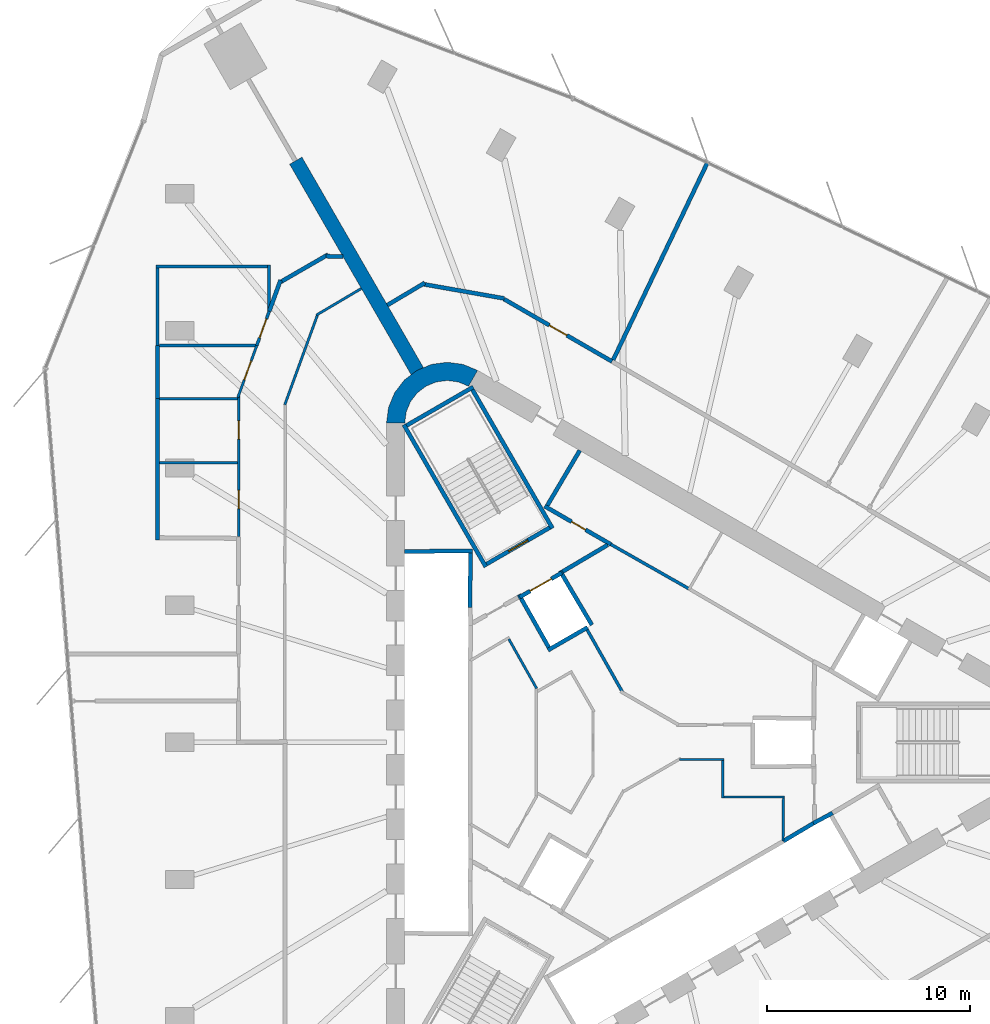
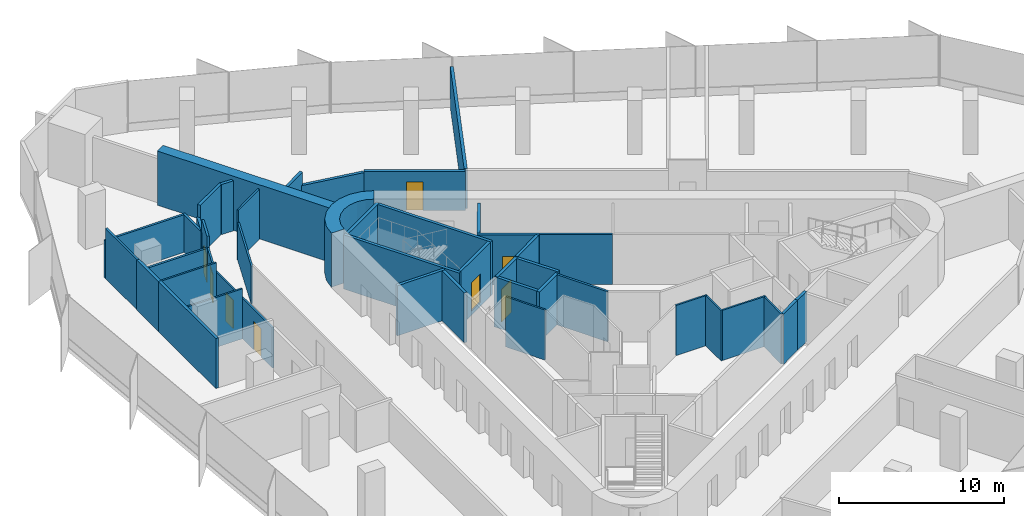
# One storey, part 10 of 13: 44 walls, 8 doors, 8 openings.
"""IFC4 building model written with IfcOpenShell, lengths in metres."""

import ifcopenshell
import ifcopenshell.guid

model = None  # the IFC model being written
_history = None  # IfcOwnerHistory: only IFC2X3 demands one
_inside = {}  # id of a spatial element -> (the spatial element, [elements in it])
_under = {}  # id of a project, library or spatial element -> (it, [spatial elements below it])
_declared = {}  # id of a project -> (the project, [libraries it declares])
_typed = {}  # id of a type object -> (the type object, [elements of that type])
_made_of = {}  # id of a material, layer set ... -> (it, [elements and type objects made of it])


def new_model(schema):
    """Start an empty IFC model of exactly this schema.

    Asked for "IFC4X3", IfcOpenShell would pick the latest addendum, in which some entities
    have other attributes; the version numbers below select the first issue.
    IFC2X3 requires an IfcOwnerHistory on every rooted entity: one is made here for all.
    """
    global model, _history
    if schema == "IFC4X3":
        model = ifcopenshell.file(schema_version=(4, 3, 0, 0))
    else:
        model = ifcopenshell.file(schema=schema)
    _inside.clear()
    _under.clear()
    _declared.clear()
    _typed.clear()
    _made_of.clear()
    _history = None
    if model.schema == "IFC2X3":
        org = make("IfcOrganization", Name="unknown")
        user = make(
            "IfcPersonAndOrganization",
            ThePerson=make("IfcPerson", FamilyName="unknown"),
            TheOrganization=org,
        )
        app = make(
            "IfcApplication",
            ApplicationDeveloper=org,
            Version="unknown",
            ApplicationFullName="unknown",
            ApplicationIdentifier="unknown",
        )
        _history = make(
            "IfcOwnerHistory",
            OwningUser=user,
            OwningApplication=app,
            ChangeAction="ADDED",
            CreationDate=0,
        )
    return model


def make(cls, **values):
    """One entity of the class cls with the attributes given. An attribute that is None is left unset."""
    return model.create_entity(
        cls, **{name: value for name, value in values.items() if value is not None}
    )


def rooted(cls, **values):
    """An entity with a GlobalId (a new one), such as an element, a storey or a relation."""
    return make(cls, GlobalId=ifcopenshell.guid.new(), OwnerHistory=_history, **values)


def si_unit(unit_type, name, prefix=None):
    """IfcSIUnit, for example si_unit("LENGTHUNIT", "METRE", prefix="MILLI")."""
    return make("IfcSIUnit", UnitType=unit_type, Prefix=prefix, Name=name)


def assignment(units):
    """IfcUnitAssignment: the units of a project."""
    return None if units is None else make("IfcUnitAssignment", Units=units)


def point(xyz):
    """IfcCartesianPoint."""
    return None if xyz is None else make("IfcCartesianPoint", Coordinates=xyz)


def direction(xyz):
    """IfcDirection."""
    return None if xyz is None else make("IfcDirection", DirectionRatios=xyz)


def frame(location, z_axis=None, x_axis=None):
    """IfcAxis2Placement3D, a coordinate frame: its origin and axes. An axis left out is left unset."""
    return make(
        "IfcAxis2Placement3D",
        Location=point(location),
        Axis=direction(z_axis),
        RefDirection=direction(x_axis),
    )


def frame_2d(location, x_axis=None):
    """IfcAxis2Placement2D, a coordinate frame in the plane: its origin and x axis."""
    return make(
        "IfcAxis2Placement2D", Location=point(location), RefDirection=direction(x_axis)
    )


def origin():
    """The frame at (0, 0, 0) with its axes left unset."""
    return frame((0.0, 0.0, 0.0))


def place(relative_to, where):
    """IfcLocalPlacement: puts the frame where relative to a parent placement (None: the world)."""
    return make(
        "IfcLocalPlacement", PlacementRelTo=relative_to, RelativePlacement=where
    )


def context(
    kind, dimensions, precision=None, world=None, true_north=None, identifier=None
):
    """IfcGeometricRepresentationContext, for example the 3D "Model" context."""
    return make(
        "IfcGeometricRepresentationContext",
        ContextIdentifier=identifier,
        ContextType=kind,
        CoordinateSpaceDimension=dimensions,
        Precision=precision,
        WorldCoordinateSystem=world,
        TrueNorth=true_north,
    )


def subcontext(parent, identifier, kind, view, scale=None):
    """IfcGeometricRepresentationSubContext, for example "Body" below "Model"."""
    return make(
        "IfcGeometricRepresentationSubContext",
        ContextIdentifier=identifier,
        ContextType=kind,
        ParentContext=parent,
        TargetScale=scale,
        TargetView=view,
    )


def project(units=None, contexts=None):
    """IfcProject with its units and contexts."""
    return rooted(
        "IfcProject",
        Name="project",
        RepresentationContexts=contexts,
        UnitsInContext=assignment(units),
    )


def spatial(cls, under=None, at=None, **own):
    """A site, building, storey or space (cls), placed at a placement, below another one or the project."""
    s = rooted(cls, ObjectPlacement=at, **own)
    if under is not None:
        _under.setdefault(under.id(), (under, []))[1].append(s)
    return s


def polyline(points):
    """IfcPolyline through the points."""
    return make("IfcPolyline", Points=[point(p) for p in points])


def profile(cls, at=None, kind="AREA", **sizes):
    """A parametric profile (cls). Its sizes go by their IFC names, for example OverallWidth=200.0."""
    return make(cls, ProfileType=kind, Position=at, **sizes)


def rectangle(**sizes):
    """IfcRectangleProfileDef."""
    return profile("IfcRectangleProfileDef", **sizes)


def outline(outer, holes=None, kind="AREA"):
    """IfcArbitraryClosedProfileDef: a profile drawn as a closed curve; with holes, ...WithVoids."""
    if holes is None:
        return make("IfcArbitraryClosedProfileDef", ProfileType=kind, OuterCurve=outer)
    return make(
        "IfcArbitraryProfileDefWithVoids",
        ProfileType=kind,
        OuterCurve=outer,
        InnerCurves=holes,
    )


def extrude(swept, where, along, depth):
    """IfcExtrudedAreaSolid: the profile swept, set in the frame where, extruded along a direction by depth."""
    return make(
        "IfcExtrudedAreaSolid",
        SweptArea=swept,
        Position=where,
        ExtrudedDirection=direction(along),
        Depth=depth,
    )


def shape(context_of_items, identifier, shape_type, items):
    """IfcShapeRepresentation: the items that make up one representation, for example the "Body"."""
    return make(
        "IfcShapeRepresentation",
        ContextOfItems=context_of_items,
        RepresentationIdentifier=identifier,
        RepresentationType=shape_type,
        Items=items,
    )


def material(Name=None, Category=None):
    """IfcMaterial."""
    return make("IfcMaterial", Name=Name, Category=Category)


def layer(
    of_material, thickness, ventilated=None, Name=None, Category=None, Priority=None
):
    """IfcMaterialLayer: one layer of a wall or slab, of a material (None: an air gap)."""
    return make(
        "IfcMaterialLayer",
        Material=of_material,
        LayerThickness=thickness,
        IsVentilated=ventilated,
        Name=Name,
        Category=Category,
        Priority=Priority,
    )


def layer_set(layers, Name=None):
    """IfcMaterialLayerSet."""
    return make("IfcMaterialLayerSet", MaterialLayers=layers, LayerSetName=Name)


def made_of(thing, what):
    """Note that an element or type object is made of a material, layer set ...; save() writes the relation."""
    if what is not None:
        _made_of.setdefault(what.id(), (what, []))[1].append(thing)
    return thing


def type_object(cls, material=None, **own):
    """A type object (cls), such as IfcWallType, which elements share."""
    return made_of(rooted(cls, **own), material)


def element(
    cls,
    number,
    at=None,
    inside=None,
    cuts=None,
    type_object=None,
    material=None,
    context=None,
    identifier="Body",
    shape_type=None,
    held_by="IfcProductDefinitionShape",
    body=None,
    shapes=None,
    **own,
):
    """One element of the class cls, such as IfcWall. Its Tag is "e" and its number.

    at: its placement. inside: the storey or other place that contains it. cuts: it is an
    opening in that element (IfcRelVoidsElement). A single representation is given by context,
    identifier, shape_type and body (its items); several are given by shapes. held_by: the class
    of the entity that holds the representations. save() writes the other relations.
    """
    e = rooted(cls, Tag="e%d" % number, ObjectPlacement=at, **own)
    if body is not None:
        shapes = [shape(context, identifier, shape_type, body)]
    if shapes is not None:
        e.Representation = make(held_by, Representations=shapes)
    if inside is not None:
        _inside.setdefault(inside.id(), (inside, []))[1].append(e)
    if cuts is not None:
        rooted(
            "IfcRelVoidsElement", RelatingBuildingElement=cuts, RelatedOpeningElement=e
        )
    if type_object is not None:
        _typed.setdefault(type_object.id(), (type_object, []))[1].append(e)
    return made_of(e, material)


def fill(opening, filler):
    """IfcRelFillsElement: the door or window that sits in an opening."""
    return rooted(
        "IfcRelFillsElement",
        RelatingOpeningElement=opening,
        RelatedBuildingElement=filler,
    )


def aggregate(whole, parts):
    """IfcRelAggregates: a whole, such as a stair, and the parts it consists of."""
    return rooted("IfcRelAggregates", RelatingObject=whole, RelatedObjects=parts)


def save(model, path):
    """Write the relations noted so far, then the file.

    IfcRelAggregates (storeys below a building ...), IfcRelContainedInSpatialStructure (elements
    in a storey), IfcRelDefinesByType, IfcRelAssociatesMaterial and IfcRelDeclares: one each for
    every whole, place, type object, material and project.
    """
    for whole, parts in _under.values():
        aggregate(whole, parts)
    for where, things in _inside.values():
        rooted(
            "IfcRelContainedInSpatialStructure",
            RelatedElements=things,
            RelatingStructure=where,
        )
    for kind, things in _typed.values():
        rooted("IfcRelDefinesByType", RelatedObjects=things, RelatingType=kind)
    for what, things in _made_of.values():
        rooted("IfcRelAssociatesMaterial", RelatedObjects=things, RelatingMaterial=what)
    for by, libraries in _declared.values():
        rooted("IfcRelDeclares", RelatingContext=by, RelatedDefinitions=libraries)
    model.write(path)


model = new_model("IFC4")

# Units and contexts
model_context = context("Model", 3, precision=1e-05, world=origin(), true_north=direction((0.0, 1.0)))
body_context = subcontext(model_context, "Body", "Model", "MODEL_VIEW")
ifc_project = project(units=[si_unit("LENGTHUNIT", "METRE"), si_unit("AREAUNIT", "SQUARE_METRE"), si_unit("VOLUMEUNIT", "CUBIC_METRE"), si_unit("PLANEANGLEUNIT", "RADIAN"), si_unit("MASSUNIT", "GRAM", prefix="KILO")], contexts=[model_context])

# Site, building, storey
site_placement = place(None, origin())
site = spatial("IfcSite", under=ifc_project, at=site_placement, CompositionType="ELEMENT")
building_placement = place(site_placement, origin())
building = spatial("IfcBuilding", under=site, at=building_placement, Name="Tanit Gate Tower", CompositionType="ELEMENT")
storey_placement = place(building_placement, frame((0.0, 0.0, 201.199951171875)))
storey = spatial("IfcBuildingStorey", under=building, at=storey_placement, Name="L44", CompositionType="ELEMENT", Elevation=201.199951171875)

# Walls
ifc_material_1 = material(Name="Concrete C50/60", Category="concrete")
ifc_layer_1 = layer(ifc_material_1, 0.699951171875)
ifc_layer_set_1 = layer_set([ifc_layer_1], Name="BUTTRESS FIN 700 C50/60")
wall_type_1 = type_object("IfcWallType", Name="BUTTRESS FIN 700 C50/60", PredefinedType="SHEAR", material=ifc_layer_set_1)
wall_1_placement = place(storey_placement, frame((-10.574951171875, 18.31640625, 0.0), z_axis=(0.0, 0.0, 1.0), x_axis=(-0.500001138955, 0.866024746207, 0.0)))
element("IfcWall", 1, at=wall_1_placement, inside=storey, type_object=wall_type_1, Name="BUTTRESS FIN", PredefinedType="SHEAR", context=body_context, shape_type="SweptSolid", body=[
    extrude(rectangle(XDim=12.0068359375, YDim=0.699951171875, at=frame_2d((6.00341796875, 0.0))), origin(), (0.0, 0.0, 1.0), 4.0),
])
ifc_material_2 = material(Name="Concrete C50/60", Category="concrete")
ifc_layer_2 = layer(ifc_material_2, 0.89990234375)
ifc_layer_set_2 = layer_set([ifc_layer_2], Name="CORE WALL 900 C50/60")
wall_type_2 = type_object("IfcWallType", Name="CORE WALL 900 C50/60", PredefinedType="SHEAR", material=ifc_layer_set_2)
wall_2_placement = place(storey_placement, origin())
element("IfcWall", 2, at=wall_2_placement, inside=storey, type_object=wall_type_2, Name="CORE WALL CORNER", PredefinedType="SHEAR", context=body_context, shape_type="SweptSolid", body=[
    extrude(outline(polyline([(-7.60009765625, 18.359619140625), (-8.323486328125, 18.659423828125), (-9.10009765625, 18.76171875), (-9.87646484375, 18.659423828125), (-10.60009765625, 18.359619140625), (-11.22119140625, 17.883056640625), (-11.697998046875, 17.26171875), (-11.997802734375, 16.5380859375), (-12.10009765625, 15.76171875), (-11.199951171875, 15.76171875), (-11.12841796875, 16.30517578125), (-10.918701171875, 16.811767578125), (-10.5849609375, 17.24658203125), (-10.14990234375, 17.580322265625), (-9.6435546875, 17.7900390625), (-9.10009765625, 17.86181640625), (-8.556396484375, 17.7900390625), (-8.050048828125, 17.580322265625), (-7.60009765625, 18.359619140625)])), origin(), (0.0, 0.0, 1.0), 4.0),
])

# Wall, opening, door
ifc_material_3 = material(Name="Fire-rated gypsum board partition")
ifc_layer_3 = layer(ifc_material_3, 0.199951171875)
ifc_layer_set_3 = layer_set([ifc_layer_3], Name="INT-WALL-COMPARTMENT")
wall_type_3 = type_object("IfcWallType", Name="INT-WALL-COMPARTMENT", PredefinedType="PARTITIONING", material=ifc_layer_set_3)
wall_3_placement = place(storey_placement, frame((-4.295654296875, 11.659912109375, 0.0), z_axis=(0.0, 0.0, 1.0), x_axis=(0.866027389382, -0.499996560828, 0.0)))
wall_3 = element("IfcWall", 3, at=wall_3_placement, inside=storey, type_object=wall_type_3, Name="Wall Compartment W052", PredefinedType="PARTITIONING", context=body_context, shape_type="SweptSolid", body=[
    extrude(rectangle(XDim=3.77783203125, YDim=0.199951171875, at=frame_2d((1.888916015625, 0.0))), origin(), (0.0, 0.0, 1.0), 3.699951171875),
])
opening_1_placement = place(wall_3_placement, frame((1.538818359375, 0.0, 0.0)))
opening_1 = element("IfcOpeningElement", 4, at=opening_1_placement, cuts=wall_3, Name="Opening R08-S11-15", PredefinedType="OPENING", context=body_context, shape_type="SweptSolid", body=[
    extrude(rectangle(XDim=0.800048828125, YDim=2.10009765625, at=frame_2d((0.39990234375, 1.050048828125))), frame((0.0, 0.10986328125, 0.0), z_axis=(0.0, -1.0, 0.0), x_axis=(1.0, 0.0, 0.0)), (0.0, 0.0, 1.0), 0.219970703125),
])
ifc_material_4 = material(Name="Timber door leaf", Category="wood")
door_type_1 = type_object("IfcDoorType", Name="INT-DOOR-RISER-800", OperationType="NOTDEFINED", PredefinedType="USERDEFINED", material=ifc_material_4)
door_1_placement = place(opening_1_placement, origin())
door_1 = element("IfcDoor", 5, at=door_1_placement, inside=storey, type_object=door_type_1, Name="Door R08-S11-15", ObjectType="FIRE DOOR", OperationType="SINGLE_SWING_RIGHT", OverallHeight=2.10009765625, OverallWidth=0.800048828125, PredefinedType="USERDEFINED", context=body_context, shape_type="SweptSolid", body=[
    extrude(rectangle(XDim=0.800048828125, YDim=2.10009765625, at=frame_2d((0.39990234375, 1.050048828125))), frame((0.0, 0.02490234375, 0.0), z_axis=(0.0, -1.0, 0.0), x_axis=(1.0, 0.0, 0.0)), (0.0, 0.0, 1.0), 0.050048828125),
])
fill(opening_1, door_1)

# Walls
wall_4_placement = place(storey_placement, frame((-2.557861328125, 14.409423828125, 0.0), z_axis=(0.0, 0.0, 1.0), x_axis=(-0.508018930956, -0.861345903683, 0.0)))
element("IfcWall", 6, at=wall_4_placement, inside=storey, type_object=wall_type_3, Name="Wall Compartment W053", PredefinedType="PARTITIONING", context=body_context, shape_type="SweptSolid", body=[
    extrude(rectangle(XDim=3.150146484375, YDim=0.199951171875, at=frame_2d((1.5751953125, 0.0))), origin(), (0.0, 0.0, 1.0), 3.699951171875),
])
wall_5_placement = place(storey_placement, frame((-1.1787109375, 9.744873046875, 0.0), z_axis=(0.0, 0.0, 1.0), x_axis=(-0.860630814782, -0.509229418482, 0.0)))
element("IfcWall", 7, at=wall_5_placement, inside=storey, type_object=wall_type_3, Name="Wall Compartment W059", PredefinedType="PARTITIONING", context=body_context, shape_type="SweptSolid", body=[
    extrude(rectangle(XDim=2.581787109375, YDim=0.199951171875, at=frame_2d((1.291015625, 0.0))), origin(), (0.0, 0.0, 1.0), 3.699951171875),
])
wall_6_placement = place(storey_placement, frame((-17.33056640625, 22.81396484375, 0.0), z_axis=(0.0, 0.0, 1.0), x_axis=(-0.342055959579, -0.939679583963, 0.0)))
element("IfcWall", 8, at=wall_6_placement, inside=storey, type_object=wall_type_3, Name="Wall Compartment W089", PredefinedType="PARTITIONING", context=body_context, shape_type="SweptSolid", body=[
    extrude(rectangle(XDim=1.628662109375, YDim=0.199951171875, at=frame_2d((0.814453125, 0.0))), origin(), (0.0, 0.0, 1.0), 2.780029296875),
])
wall_7_placement = place(storey_placement, frame((-14.97998046875, 24.082763671875, 0.0), z_axis=(0.0, 0.0, 1.0), x_axis=(-0.866008795918, -0.500028764566, 0.0)))
element("IfcWall", 9, at=wall_7_placement, inside=storey, type_object=wall_type_3, Name="Wall Compartment W090", PredefinedType="PARTITIONING", context=body_context, shape_type="SweptSolid", body=[
    extrude(rectangle(XDim=2.713623046875, YDim=0.199951171875, at=frame_2d((1.35693359375, 0.0))), origin(), (0.0, 0.0, 1.0), 3.699951171875),
])
wall_8_placement = place(storey_placement, frame((-14.250244140625, 23.982421875, 0.0), z_axis=(0.0, 0.0, 1.0), x_axis=(-0.999799129767, 0.02004245786, 0.0)))
element("IfcWall", 10, at=wall_8_placement, inside=storey, type_object=wall_type_3, Name="Wall Compartment W091", PredefinedType="PARTITIONING", context=body_context, shape_type="SweptSolid", body=[
    extrude(rectangle(XDim=0.840576171875, YDim=0.199951171875, at=frame_2d((0.42041015625, 0.0))), origin(), (0.0, 0.0, 1.0), 3.699951171875),
])
wall_9_placement = place(storey_placement, frame((-10.209716796875, 22.681396484375, 0.0), z_axis=(0.0, 0.0, 1.0), x_axis=(-0.859700405816, -0.510798602425, 0.0)))
element("IfcWall", 11, at=wall_9_placement, inside=storey, type_object=wall_type_3, Name="Wall Compartment W100", PredefinedType="PARTITIONING", context=body_context, shape_type="SweptSolid", body=[
    extrude(rectangle(XDim=2.14892578125, YDim=0.199951171875, at=frame_2d((1.074462890625, 0.0))), origin(), (0.0, 0.0, 1.0), 3.699951171875),
])
wall_10_placement = place(storey_placement, frame((-6.28515625, 21.91259765625, 0.0), z_axis=(0.0, 0.0, 1.0), x_axis=(-0.984806073034, 0.173657705026, 0.0)))
element("IfcWall", 12, at=wall_10_placement, inside=storey, type_object=wall_type_3, Name="Wall Compartment W101", PredefinedType="PARTITIONING", context=body_context, shape_type="SweptSolid", body=[
    extrude(rectangle(XDim=4.03759765625, YDim=0.199951171875, at=frame_2d((2.018798828125, 0.0))), origin(), (0.0, 0.0, 1.0), 2.780029296875),
])

# Wall, opening, door
wall_11_placement = place(storey_placement, frame((-0.963623046875, 18.80078125, 0.0), z_axis=(0.0, 0.0, 1.0), x_axis=(-0.866039032844, 0.499976393034, 0.0)))
wall_11 = element("IfcWall", 13, at=wall_11_placement, inside=storey, type_object=wall_type_3, Name="Wall Compartment W102", PredefinedType="PARTITIONING", context=body_context, shape_type="SweptSolid", body=[
    extrude(rectangle(XDim=6.158447265625, YDim=0.199951171875, at=frame_2d((3.0791015625, 0.0))), origin(), (0.0, 0.0, 1.0), 2.880126953125),
])
opening_2_placement = place(wall_11_placement, frame((2.5791015625, 0.0, 0.0)))
opening_2 = element("IfcOpeningElement", 14, at=opening_2_placement, cuts=wall_11, Name="Opening F10-S11-27", PredefinedType="OPENING", context=body_context, shape_type="SweptSolid", body=[
    extrude(rectangle(XDim=1.0, YDim=2.10009765625, at=frame_2d((0.5, 1.050048828125))), frame((0.0, 0.10986328125, 0.0), z_axis=(0.0, -1.0, 0.0), x_axis=(1.0, 0.0, 0.0)), (0.0, 0.0, 1.0), 0.219970703125),
])
ifc_material_5 = material(Name="Fire-rated steel door leaf", Category="steel")
door_type_2 = type_object("IfcDoorType", Name="INT-DOOR-FIRE-1000", OperationType="NOTDEFINED", PredefinedType="USERDEFINED", material=ifc_material_5)
door_2_placement = place(opening_2_placement, origin())
door_2 = element("IfcDoor", 15, at=door_2_placement, inside=storey, type_object=door_type_2, Name="Door F10-S11-27", ObjectType="FIRE DOOR", OperationType="SINGLE_SWING_LEFT", OverallHeight=2.10009765625, OverallWidth=1.0, PredefinedType="USERDEFINED", context=body_context, shape_type="SweptSolid", body=[
    extrude(rectangle(XDim=1.0, YDim=2.10009765625, at=frame_2d((0.5, 1.050048828125))), frame((0.0, 0.02490234375, 0.0), z_axis=(0.0, -1.0, 0.0), x_axis=(1.0, 0.0, 0.0)), (0.0, 0.0, 1.0), 0.050048828125),
])
fill(opening_2, door_2)

# Walls
wall_12_placement = place(storey_placement, frame((-23.39990234375, 10.0, 0.0), z_axis=(0.0, 0.0, 1.0), x_axis=(0.0, 1.0, 0.0)))
element("IfcWall", 16, at=wall_12_placement, inside=storey, type_object=wall_type_3, Name="Wall Compartment W121", PredefinedType="PARTITIONING", context=body_context, shape_type="SweptSolid", body=[
    extrude(rectangle(XDim=6.96337890625, YDim=0.199951171875, at=frame_2d((3.481689453125, 0.0))), origin(), (0.0, 0.0, 1.0), 3.699951171875),
])
wall_13_placement = place(storey_placement, frame((-23.39990234375, 16.96337890625, 0.0), z_axis=(0.0, 0.0, 1.0), x_axis=(0.0, 1.0, 0.0)))
element("IfcWall", 17, at=wall_13_placement, inside=storey, type_object=wall_type_3, Name="Wall Compartment W124", PredefinedType="PARTITIONING", context=body_context, shape_type="SweptSolid", body=[
    extrude(rectangle(XDim=2.615966796875, YDim=0.199951171875, at=frame_2d((1.30810546875, 0.0))), origin(), (0.0, 0.0, 1.0), 3.699951171875),
])
wall_14_placement = place(storey_placement, frame((-0.906494140625, 18.883056640625, 0.0), z_axis=(0.0, 0.0, 1.0), x_axis=(0.431079223671, 0.90231408219, 0.0)))
element("IfcWall", 18, at=wall_14_placement, inside=storey, type_object=wall_type_3, Name="Wall Compartment W130", PredefinedType="PARTITIONING", context=body_context, shape_type="SweptSolid", body=[
    extrude(rectangle(XDim=10.791748046875, YDim=0.199951171875, at=frame_2d((5.39599609375, 0.0))), origin(), (0.0, 0.0, 1.0), 2.97998046875),
])
ifc_material_6 = material(Name="Gypsum board partition")
ifc_layer_4 = layer(ifc_material_6, 0.1201171875)
ifc_layer_set_4 = layer_set([ifc_layer_4], Name="INT-WALL-PARTITION")
wall_type_4 = type_object("IfcWallType", Name="INT-WALL-PARTITION", PredefinedType="PARTITIONING", material=ifc_layer_set_4)
wall_15_placement = place(storey_placement, frame((4.56005859375, -0.85009765625, 0.0), z_axis=(0.0, 0.0, 1.0), x_axis=(-1.0, 0.0, 0.0)))
element("IfcWall", 19, at=wall_15_placement, inside=storey, type_object=wall_type_4, Name="Wall Partition W068", PredefinedType="PARTITIONING", context=body_context, shape_type="SweptSolid", body=[
    extrude(rectangle(XDim=2.203125, YDim=0.1201171875, at=frame_2d((1.1015625, 0.0))), origin(), (0.0, 0.0, 1.0), 3.699951171875),
])
wall_16_placement = place(storey_placement, frame((4.5, -2.760009765625, 0.0), z_axis=(0.0, 0.0, 1.0), x_axis=(0.0, 1.0, 0.0)))
element("IfcWall", 20, at=wall_16_placement, inside=storey, type_object=wall_type_4, Name="Wall Partition W069", PredefinedType="PARTITIONING", context=body_context, shape_type="SweptSolid", body=[
    extrude(rectangle(XDim=1.85009765625, YDim=0.1201171875, at=frame_2d((0.925048828125, 0.0))), origin(), (0.0, 0.0, 1.0), 3.699951171875),
])
wall_17_placement = place(storey_placement, frame((7.56005859375, -2.699951171875, 0.0), z_axis=(0.0, 0.0, 1.0), x_axis=(-1.0, 0.0, 0.0)))
element("IfcWall", 21, at=wall_17_placement, inside=storey, type_object=wall_type_4, Name="Wall Partition W070", PredefinedType="PARTITIONING", context=body_context, shape_type="SweptSolid", body=[
    extrude(rectangle(XDim=3.0, YDim=0.1201171875, at=frame_2d((1.5, 0.0))), origin(), (0.0, 0.0, 1.0), 3.699951171875),
])
wall_18_placement = place(storey_placement, frame((7.474609375, -4.864501953125, 0.0), z_axis=(0.0, 0.0, 1.0), x_axis=(0.011716133148, 0.999931363757, 0.0)))
element("IfcWall", 22, at=wall_18_placement, inside=storey, type_object=wall_type_4, Name="Wall Partition W071", PredefinedType="PARTITIONING", context=body_context, shape_type="SweptSolid", body=[
    extrude(rectangle(XDim=2.104736328125, YDim=0.1201171875, at=frame_2d((1.05224609375, 0.0))), origin(), (0.0, 0.0, 1.0), 3.699951171875),
])
wall_19_placement = place(storey_placement, frame((-4.685791015625, 2.6572265625, 0.0), z_axis=(0.0, 0.0, 1.0), x_axis=(-0.491052820648, 0.87112979936, 0.0)))
element("IfcWall", 23, at=wall_19_placement, inside=storey, type_object=wall_type_4, Name="Wall Partition W076", PredefinedType="PARTITIONING", context=body_context, shape_type="SweptSolid", body=[
    extrude(rectangle(XDim=2.796142578125, YDim=0.1201171875, at=frame_2d((1.39794921875, 0.0))), origin(), (0.0, 0.0, 1.0), 3.699951171875),
])
wall_20_placement = place(storey_placement, frame((-13.33935546875, 22.404541015625, 0.0), z_axis=(0.0, 0.0, 1.0), x_axis=(-0.86070028932, -0.509111983718, 0.0)))
element("IfcWall", 24, at=wall_20_placement, inside=storey, type_object=wall_type_4, Name="Wall Partition W082", PredefinedType="PARTITIONING", context=body_context, shape_type="SweptSolid", body=[
    extrude(rectangle(XDim=2.578857421875, YDim=0.1201171875, at=frame_2d((1.28955078125, 0.0))), origin(), (0.0, 0.0, 1.0), 3.699951171875),
])
wall_21_placement = place(storey_placement, frame((-15.505859375, 21.102783203125, 0.0), z_axis=(0.0, 0.0, 1.0), x_axis=(-0.342017079535, -0.939693735909, 0.0)))
element("IfcWall", 25, at=wall_21_placement, inside=storey, type_object=wall_type_4, Name="Wall Partition W083", PredefinedType="PARTITIONING", context=body_context, shape_type="SweptSolid", body=[
    extrude(rectangle(XDim=4.72119140625, YDim=0.1201171875, at=frame_2d((2.360595703125, 0.0))), origin(), (0.0, 0.0, 1.0), 2.780029296875),
])

# Wall, openings, doors
wall_22_placement = place(storey_placement, frame((-19.39990234375, 17.128173828125, 0.0), z_axis=(0.0, 0.0, 1.0), x_axis=(0.0, -1.0, 0.0)))
wall_22 = element("IfcWall", 26, at=wall_22_placement, inside=storey, type_object=wall_type_4, Name="Wall Partition W093", PredefinedType="PARTITIONING", context=body_context, shape_type="SweptSolid", body=[
    extrude(rectangle(XDim=6.958251953125, YDim=0.1201171875, at=frame_2d((3.47900390625, 0.0))), origin(), (0.0, 0.0, 1.0), 2.97998046875),
])
opening_3_placement = place(wall_22_placement, frame((4.690185546875, 0.0, 0.0)))
opening_3 = element("IfcOpeningElement", 27, at=opening_3_placement, cuts=wall_22, Name="Opening D09-S11-21", PredefinedType="OPENING", context=body_context, shape_type="SweptSolid", body=[
    extrude(rectangle(XDim=0.89990234375, YDim=2.10009765625, at=frame_2d((0.449951171875, 1.050048828125))), frame((0.0, 0.070068359375, 0.0), z_axis=(0.0, -1.0, 0.0), x_axis=(1.0, 0.0, 0.0)), (0.0, 0.0, 1.0), 0.14013671875),
])
opening_4_placement = place(wall_22_placement, frame((1.263671875, 0.0, 0.0)))
opening_4 = element("IfcOpeningElement", 28, at=opening_4_placement, cuts=wall_22, Name="Opening D09-S11-22", PredefinedType="OPENING", context=body_context, shape_type="SweptSolid", body=[
    extrude(rectangle(XDim=0.89990234375, YDim=2.10009765625, at=frame_2d((0.449951171875, 1.050048828125))), frame((0.0, 0.070068359375, 0.0), z_axis=(0.0, -1.0, 0.0), x_axis=(1.0, 0.0, 0.0)), (0.0, 0.0, 1.0), 0.14013671875),
])
ifc_material_7 = material(Name="Timber door leaf", Category="wood")
door_type_3 = type_object("IfcDoorType", Name="INT-DOOR-SINGLE-900", OperationType="NOTDEFINED", PredefinedType="NOTDEFINED", material=ifc_material_7)
door_3_placement = place(opening_3_placement, origin())
door_3 = element("IfcDoor", 29, at=door_3_placement, inside=storey, type_object=door_type_3, Name="Door D09-S11-21", OperationType="SINGLE_SWING_RIGHT", OverallHeight=2.10009765625, OverallWidth=0.89990234375, PredefinedType="NOTDEFINED", context=body_context, shape_type="SweptSolid", body=[
    extrude(rectangle(XDim=0.89990234375, YDim=2.10009765625, at=frame_2d((0.449951171875, 1.050048828125))), frame((0.0, 0.02490234375, 0.0), z_axis=(0.0, -1.0, 0.0), x_axis=(1.0, 0.0, 0.0)), (0.0, 0.0, 1.0), 0.050048828125),
])
fill(opening_3, door_3)
door_4_placement = place(opening_4_placement, origin())
door_4 = element("IfcDoor", 30, at=door_4_placement, inside=storey, type_object=door_type_3, Name="Door D09-S11-22", OperationType="SINGLE_SWING_LEFT", OverallHeight=2.10009765625, OverallWidth=0.89990234375, PredefinedType="NOTDEFINED", context=body_context, shape_type="SweptSolid", body=[
    extrude(rectangle(XDim=0.89990234375, YDim=2.10009765625, at=frame_2d((0.449951171875, 1.050048828125))), frame((0.0, 0.02490234375, 0.0), z_axis=(0.0, -1.0, 0.0), x_axis=(1.0, 0.0, 0.0)), (0.0, 0.0, 1.0), 0.050048828125),
])
fill(opening_4, door_4)

# Wall, opening, door
wall_23_placement = place(storey_placement, frame((-18.50341796875, 19.59130859375, 0.0), z_axis=(0.0, 0.0, 1.0), x_axis=(-0.342051467618, -0.939681219085, 0.0)))
wall_23 = element("IfcWall", 31, at=wall_23_placement, inside=storey, type_object=wall_type_4, Name="Wall Partition W094", PredefinedType="PARTITIONING", context=body_context, shape_type="SweptSolid", body=[
    extrude(rectangle(XDim=2.73291015625, YDim=0.1201171875, at=frame_2d((1.366455078125, 0.0))), origin(), (0.0, 0.0, 1.0), 2.880126953125),
])
opening_5_placement = place(wall_23_placement, frame((0.810546875, 0.0, 0.0)))
opening_5 = element("IfcOpeningElement", 32, at=opening_5_placement, cuts=wall_23, Name="Opening D10-S11-23", PredefinedType="OPENING", context=body_context, shape_type="SweptSolid", body=[
    extrude(rectangle(XDim=1.0, YDim=2.10009765625, at=frame_2d((0.5, 1.050048828125))), frame((0.0, 0.070068359375, 0.0), z_axis=(0.0, -1.0, 0.0), x_axis=(1.0, 0.0, 0.0)), (0.0, 0.0, 1.0), 0.14013671875),
])
ifc_material_8 = material(Name="Timber door leaf", Category="wood")
door_type_4 = type_object("IfcDoorType", Name="INT-DOOR-SINGLE-1000", OperationType="NOTDEFINED", PredefinedType="NOTDEFINED", material=ifc_material_8)
door_5_placement = place(opening_5_placement, origin())
door_5 = element("IfcDoor", 33, at=door_5_placement, inside=storey, type_object=door_type_4, Name="Door D10-S11-23", OperationType="SINGLE_SWING_LEFT", OverallHeight=2.10009765625, OverallWidth=1.0, PredefinedType="NOTDEFINED", context=body_context, shape_type="SweptSolid", body=[
    extrude(rectangle(XDim=1.0, YDim=2.10009765625, at=frame_2d((0.5, 1.050048828125))), frame((0.0, 0.02490234375, 0.0), z_axis=(0.0, -1.0, 0.0), x_axis=(1.0, 0.0, 0.0)), (0.0, 0.0, 1.0), 0.050048828125),
])
fill(opening_5, door_5)

# Walls
for number, where, z_axis, x_axis, name in (
    (34, (-19.4599609375, 13.8056640625, 0.0), (0.0, 0.0, 1.0), (-1.0, 0.0, 0.0), "Wall Partition W136"),
    (35, (-19.4599609375, 16.96337890625, 0.0), (0.0, 0.0, 1.0), (-1.0, 0.0, 0.0), "Wall Partition W137"),
):
    element("IfcWall", number, at=place(storey_placement, frame(where, z_axis=z_axis, x_axis=x_axis)), inside=storey, type_object=wall_type_4, Name=name, PredefinedType="PARTITIONING", context=body_context, shape_type="SweptSolid", body=[
        extrude(rectangle(XDim=3.840087890625, YDim=0.1201171875, at=frame_2d((1.919921875, 0.0))), origin(), (0.0, 0.0, 1.0), 3.699951171875),
    ])
ifc_material_9 = material(Name="Fire-rated gypsum board partition")
ifc_layer_5 = layer(ifc_material_9, 0.14990234375)
ifc_layer_set_5 = layer_set([ifc_layer_5], Name="INT-WALL-RISER")
wall_type_5 = type_object("IfcWallType", Name="INT-WALL-RISER", PredefinedType="PLUMBINGWALL", material=ifc_layer_set_5)
wall_24_placement = place(storey_placement, frame((2.82080078125, 7.5859375, 0.0), z_axis=(0.0, 0.0, 1.0), x_axis=(-0.869355227283, 0.494187706035, 0.0)))
element("IfcWall", 36, at=wall_24_placement, inside=storey, type_object=wall_type_5, Name="Wall Riser W054", PredefinedType="PLUMBINGWALL", context=body_context, shape_type="SweptSolid", body=[
    extrude(rectangle(XDim=4.422607421875, YDim=0.14990234375, at=frame_2d((2.21142578125, 0.0))), origin(), (0.0, 0.0, 1.0), 3.699951171875),
])
wall_25_placement = place(storey_placement, frame((-2.18896484375, 5.548828125, 0.0), z_axis=(0.0, 0.0, 1.0), x_axis=(0.49303694679, -0.870008373006, 0.0)))
element("IfcWall", 37, at=wall_25_placement, inside=storey, type_object=wall_type_5, Name="Wall Riser W065", PredefinedType="PLUMBINGWALL", context=body_context, shape_type="SweptSolid", body=[
    extrude(rectangle(XDim=3.5380859375, YDim=0.14990234375, at=frame_2d((1.76904296875, 0.0))), origin(), (0.0, 0.0, 1.0), 3.699951171875),
])

# Wall, opening, door
wall_26_placement = place(storey_placement, frame((-17.8876953125, 21.283447265625, 0.0), z_axis=(0.0, 0.0, 1.0), x_axis=(-0.341939006975, -0.939722148036, 0.0)))
wall_26 = element("IfcWall", 38, at=wall_26_placement, inside=storey, type_object=wall_type_5, Name="Wall Riser W095", PredefinedType="PLUMBINGWALL", context=body_context, shape_type="SweptSolid", body=[
    extrude(rectangle(XDim=1.80078125, YDim=0.14990234375, at=frame_2d((0.900390625, 0.0))), origin(), (0.0, 0.0, 1.0), 3.699951171875),
])
opening_6_placement = place(wall_26_placement, frame((0.400390625, 0.0, 0.0)))
opening_6 = element("IfcOpeningElement", 39, at=opening_6_placement, cuts=wall_26, Name="Opening F10-S11-24", PredefinedType="OPENING", context=body_context, shape_type="SweptSolid", body=[
    extrude(rectangle(XDim=1.0, YDim=2.10009765625, at=frame_2d((0.5, 1.050048828125))), frame((0.0, 0.0849609375, 0.0), z_axis=(0.0, -1.0, 0.0), x_axis=(1.0, 0.0, 0.0)), (0.0, 0.0, 1.0), 0.169921875),
])
door_6_placement = place(opening_6_placement, origin())
door_6 = element("IfcDoor", 40, at=door_6_placement, inside=storey, type_object=door_type_2, Name="Door F10-S11-24", ObjectType="FIRE DOOR", OperationType="SINGLE_SWING_LEFT", OverallHeight=2.10009765625, OverallWidth=1.0, PredefinedType="USERDEFINED", context=body_context, shape_type="SweptSolid", body=[
    extrude(rectangle(XDim=1.0, YDim=2.10009765625, at=frame_2d((0.5, 1.050048828125))), frame((0.0, 0.02490234375, 0.0), z_axis=(0.0, -1.0, 0.0), x_axis=(1.0, 0.0, 0.0)), (0.0, 0.0, 1.0), 0.050048828125),
])
fill(opening_6, door_6)

# Walls
wall_27_placement = place(storey_placement, frame((-17.89990234375, 21.264892578125, 0.0), z_axis=(0.0, 0.0, 1.0), x_axis=(0.0, 1.0, 0.0)))
element("IfcWall", 41, at=wall_27_placement, inside=storey, type_object=wall_type_5, Name="Wall Riser W125", PredefinedType="PLUMBINGWALL", context=body_context, shape_type="SweptSolid", body=[
    extrude(rectangle(XDim=2.300048828125, YDim=0.14990234375, at=frame_2d((1.14990234375, 0.0))), origin(), (0.0, 0.0, 1.0), 2.780029296875),
])
wall_28_placement = place(storey_placement, frame((-17.97509765625, 23.489990234375, 0.0), z_axis=(0.0, 0.0, 1.0), x_axis=(-1.0, 0.0, 0.0)))
element("IfcWall", 42, at=wall_28_placement, inside=storey, type_object=wall_type_5, Name="Wall Riser W126", PredefinedType="PLUMBINGWALL", context=body_context, shape_type="SweptSolid", body=[
    extrude(rectangle(XDim=5.5, YDim=0.14990234375, at=frame_2d((2.75, 0.0))), origin(), (0.0, 0.0, 1.0), 2.780029296875),
])
wall_29_placement = place(storey_placement, frame((-23.39990234375, 19.579345703125, 0.0), z_axis=(0.0, 0.0, 1.0), x_axis=(0.0, 1.0, 0.0)))
element("IfcWall", 43, at=wall_29_placement, inside=storey, type_object=wall_type_5, Name="Wall Riser W127", PredefinedType="PLUMBINGWALL", context=body_context, shape_type="SweptSolid", body=[
    extrude(rectangle(XDim=3.835693359375, YDim=0.14990234375, at=frame_2d((1.91796875, 0.0))), origin(), (0.0, 0.0, 1.0), 3.699951171875),
])
wall_30_placement = place(storey_placement, frame((-23.300048828125, 19.5869140625, 0.0), z_axis=(0.0, 0.0, 1.0), x_axis=(1.0, 0.0, 0.0)))
element("IfcWall", 44, at=wall_30_placement, inside=storey, type_object=wall_type_5, Name="Wall Riser W138", PredefinedType="PLUMBINGWALL", context=body_context, shape_type="SweptSolid", body=[
    extrude(rectangle(XDim=4.73095703125, YDim=0.14990234375, at=frame_2d((2.365478515625, 0.0))), origin(), (0.0, 0.0, 1.0), 2.880126953125),
])
ifc_material_10 = material(Name="Gypsum shaft wall system")
ifc_layer_6 = layer(ifc_material_10, 0.199951171875)
ifc_layer_set_6 = layer_set([ifc_layer_6], Name="INT-WALL-SHAFT")
wall_type_6 = type_object("IfcWallType", Name="INT-WALL-SHAFT", PredefinedType="PLUMBINGWALL", material=ifc_layer_set_6)
wall_31_placement = place(storey_placement, frame((-11.199951171875, 9.419921875, 0.0), z_axis=(0.0, 0.0, 1.0), x_axis=(0.999957167047, 0.009255488683, 0.0)))
element("IfcWall", 45, at=wall_31_placement, inside=storey, type_object=wall_type_6, Name="Wall Shaft W001", PredefinedType="PLUMBINGWALL", context=body_context, shape_type="SweptSolid", body=[
    extrude(rectangle(XDim=3.35009765625, YDim=0.199951171875, at=frame_2d((1.675048828125, 0.0))), origin(), (0.0, 0.0, 1.0), 3.699951171875),
])
wall_32_placement = place(storey_placement, frame((-7.951171875, 9.35009765625, 0.0), z_axis=(0.0, 0.0, 1.0), x_axis=(-0.011120469654, -0.999938165666, 0.0)))
element("IfcWall", 46, at=wall_32_placement, inside=storey, type_object=wall_type_6, Name="Wall Shaft W002", PredefinedType="PLUMBINGWALL", context=body_context, shape_type="SweptSolid", body=[
    extrude(rectangle(XDim=2.700439453125, YDim=0.199951171875, at=frame_2d((1.35009765625, 0.0))), origin(), (0.0, 0.0, 1.0), 3.699951171875),
])
wall_33_placement = place(storey_placement, frame((8.97412109375, -3.998779296875, 0.0), z_axis=(0.0, 0.0, 1.0), x_axis=(0.880907015104, 0.473289373154, 0.0)))
element("IfcWall", 47, at=wall_33_placement, inside=storey, type_object=wall_type_6, Name="Wall Shaft W017", PredefinedType="PLUMBINGWALL", context=body_context, shape_type="SweptSolid", body=[
    extrude(rectangle(XDim=1.078125, YDim=0.199951171875, at=frame_2d((0.5390625, 0.0))), origin(), (0.0, 0.0, 1.0), 3.699951171875),
])
wall_34_placement = place(storey_placement, frame((7.4931640625, -4.87841796875, 0.0), z_axis=(0.0, 0.0, 1.0), x_axis=(0.859981807212, 0.510324691999, 0.0)))
element("IfcWall", 48, at=wall_34_placement, inside=storey, type_object=wall_type_6, Name="Wall Shaft W018", PredefinedType="PLUMBINGWALL", context=body_context, shape_type="SweptSolid", body=[
    extrude(rectangle(XDim=1.8447265625, YDim=0.199951171875, at=frame_2d((0.92236328125, 0.0))), origin(), (0.0, 0.0, 1.0), 3.699951171875),
])

# Wall, opening, door
wall_35_placement = place(storey_placement, frame((-5.524169921875, 7.168212890625, 0.0), z_axis=(0.0, 0.0, 1.0), x_axis=(0.866024647952, 0.500001309137, 0.0)))
wall_35 = element("IfcWall", 49, at=wall_35_placement, inside=storey, type_object=wall_type_6, Name="Wall Shaft W037", PredefinedType="PLUMBINGWALL", context=body_context, shape_type="SweptSolid", body=[
    extrude(rectangle(XDim=2.39990234375, YDim=0.199951171875, at=frame_2d((1.199951171875, 0.0))), origin(), (0.0, 0.0, 1.0), 3.699951171875),
])
opening_7_placement = place(wall_35_placement, frame((0.60009765625, 0.0, 0.0)))
opening_7 = element("IfcOpeningElement", 50, at=opening_7_placement, cuts=wall_35, Name="Opening LDFL2-L44", PredefinedType="OPENING", context=body_context, shape_type="SweptSolid", body=[
    extrude(rectangle(XDim=1.199951171875, YDim=2.39990234375, at=frame_2d((0.60009765625, 1.199951171875))), frame((0.0, 0.10986328125, 0.0), z_axis=(0.0, -1.0, 0.0), x_axis=(1.0, 0.0, 0.0)), (0.0, 0.0, 1.0), 0.219970703125),
])
ifc_material_11 = material(Name="Stainless steel sliding door leaf", Category="steel")
door_type_5 = type_object("IfcDoorType", Name="INT-DOOR-LANDING-1200", OperationType="NOTDEFINED", PredefinedType="USERDEFINED", material=ifc_material_11)
door_7_placement = place(opening_7_placement, origin())
door_7 = element("IfcDoor", 51, at=door_7_placement, inside=storey, type_object=door_type_5, Name="Door LDFL2-L44", ObjectType="LANDING DOOR", OperationType="SLIDING_TO_LEFT", OverallHeight=2.39990234375, OverallWidth=1.199951171875, PredefinedType="USERDEFINED", context=body_context, shape_type="SweptSolid", body=[
    extrude(rectangle(XDim=1.199951171875, YDim=2.39990234375, at=frame_2d((0.60009765625, 1.199951171875))), frame((0.0, 0.02490234375, 0.0), z_axis=(0.0, -1.0, 0.0), x_axis=(1.0, 0.0, 0.0)), (0.0, 0.0, 1.0), 0.050048828125),
])
fill(opening_7, door_7)

# Walls
wall_36_placement = place(storey_placement, frame((-3.53759765625, 8.46533203125, 0.0), z_axis=(0.0, 0.0, 1.0), x_axis=(0.508647062354, -0.860975125052, 0.0)))
element("IfcWall", 52, at=wall_36_placement, inside=storey, type_object=wall_type_6, Name="Wall Shaft W038", PredefinedType="PLUMBINGWALL", context=body_context, shape_type="SweptSolid", body=[
    extrude(rectangle(XDim=3.10009765625, YDim=0.199951171875, at=frame_2d((1.550048828125, 0.0))), origin(), (0.0, 0.0, 1.0), 3.699951171875),
])
wall_37_placement = place(storey_placement, frame((-2.17333984375, 5.67333984375, 0.0), z_axis=(0.0, 0.0, 1.0), x_axis=(-0.866028691075, -0.499994306202, 0.0)))
element("IfcWall", 53, at=wall_37_placement, inside=storey, type_object=wall_type_6, Name="Wall Shaft W039", PredefinedType="PLUMBINGWALL", context=body_context, shape_type="SweptSolid", body=[
    extrude(rectangle(XDim=2.25439453125, YDim=0.199951171875, at=frame_2d((1.127197265625, 0.0))), origin(), (0.0, 0.0, 1.0), 3.699951171875),
])
wall_38_placement = place(storey_placement, frame((-5.5625, 7.29638671875, 0.0), z_axis=(0.0, 0.0, 1.0), x_axis=(0.49134651263, -0.870964180966, 0.0)))
element("IfcWall", 54, at=wall_38_placement, inside=storey, type_object=wall_type_6, Name="Wall Shaft W040", PredefinedType="PLUMBINGWALL", context=body_context, shape_type="SweptSolid", body=[
    extrude(rectangle(XDim=3.000244140625, YDim=0.199951171875, at=frame_2d((1.5, 0.0))), origin(), (0.0, 0.0, 1.0), 3.699951171875),
])
ifc_material_12 = material(Name="Concrete C40/50", Category="concrete")
ifc_layer_7 = layer(ifc_material_12, 0.199951171875)
ifc_layer_set_7 = layer_set([ifc_layer_7], Name="INT-WALL-STAIR")
wall_type_7 = type_object("IfcWallType", Name="INT-WALL-STAIR", PredefinedType="SHEAR", material=ifc_layer_set_7)
wall_39_placement = place(storey_placement, frame((-11.245361328125, 15.677734375, -0.300048828125), z_axis=(0.0, 0.0, 1.0), x_axis=(0.499977274689, -0.866038523851, 0.0)))
element("IfcWall", 55, at=wall_39_placement, inside=storey, type_object=wall_type_7, Name="Wall Stair W033", PredefinedType="SHEAR", context=body_context, shape_type="SweptSolid", body=[
    extrude(rectangle(XDim=8.10009765625, YDim=0.199951171875, at=frame_2d((4.050048828125, 0.0))), origin(), (0.0, 0.0, 1.0), 4.0),
])
wall_40_placement = place(storey_placement, frame((-7.81787109375, 17.541015625, -0.300048828125), z_axis=(0.0, 0.0, 1.0), x_axis=(-0.866044365799, -0.499967155389, 0.0)))
element("IfcWall", 56, at=wall_40_placement, inside=storey, type_object=wall_type_7, Name="Wall Stair W034", PredefinedType="SHEAR", context=body_context, shape_type="SweptSolid", body=[
    extrude(rectangle(XDim=3.800048828125, YDim=0.199951171875, at=frame_2d((1.89990234375, 0.0))), origin(), (0.0, 0.0, 1.0), 4.0),
])
wall_41_placement = place(storey_placement, frame((-7.8544921875, 17.404541015625, -0.300048828125), z_axis=(0.0, 0.0, 1.0), x_axis=(0.499997992926, -0.866026562566, 0.0)))
element("IfcWall", 57, at=wall_41_placement, inside=storey, type_object=wall_type_7, Name="Wall Stair W035", PredefinedType="SHEAR", context=body_context, shape_type="SweptSolid", body=[
    extrude(rectangle(XDim=7.89990234375, YDim=0.199951171875, at=frame_2d((3.949951171875, 0.0))), origin(), (0.0, 0.0, 1.0), 4.0),
])

# Wall, opening, door
wall_42_placement = place(storey_placement, frame((-7.158935546875, 8.799560546875, -0.300048828125), z_axis=(0.0, 0.0, 1.0), x_axis=(0.866047807691, 0.499961193289, 0.0)))
wall_42 = element("IfcWall", 58, at=wall_42_placement, inside=storey, type_object=wall_type_7, Name="Wall Stair W036", PredefinedType="SHEAR", context=body_context, shape_type="SweptSolid", body=[
    extrude(rectangle(XDim=3.599853515625, YDim=0.199951171875, at=frame_2d((1.7998046875, 0.0))), origin(), (0.0, 0.0, 1.0), 4.0),
])
opening_8_placement = place(wall_42_placement, frame((1.25, 0.0, 0.300048828125)))
opening_8 = element("IfcOpeningElement", 59, at=opening_8_placement, cuts=wall_42, Name="Opening S11-S11-04", PredefinedType="OPENING", context=body_context, shape_type="SweptSolid", body=[
    extrude(rectangle(XDim=1.10009765625, YDim=2.10009765625, at=frame_2d((0.550048828125, 1.050048828125))), frame((0.0, 0.10986328125, 0.0), z_axis=(0.0, -1.0, 0.0), x_axis=(1.0, 0.0, 0.0)), (0.0, 0.0, 1.0), 0.219970703125),
])
ifc_material_13 = material(Name="Timber door leaf", Category="wood")
door_type_6 = type_object("IfcDoorType", Name="INT-DOOR-STAIR-1100", OperationType="NOTDEFINED", PredefinedType="USERDEFINED", material=ifc_material_13)
door_8_placement = place(opening_8_placement, origin())
door_8 = element("IfcDoor", 60, at=door_8_placement, inside=storey, type_object=door_type_6, Name="Door S11-S11-04", ObjectType="FIRE DOOR", OperationType="SINGLE_SWING_RIGHT", OverallHeight=2.10009765625, OverallWidth=1.10009765625, PredefinedType="USERDEFINED", context=body_context, shape_type="SweptSolid", body=[
    extrude(rectangle(XDim=1.10009765625, YDim=2.10009765625, at=frame_2d((0.550048828125, 1.050048828125))), frame((0.0, 0.02490234375, 0.0), z_axis=(0.0, -1.0, 0.0), x_axis=(1.0, 0.0, 0.0)), (0.0, 0.0, 1.0), 0.050048828125),
])
fill(opening_8, door_8)

save(model, "model.ifc")
